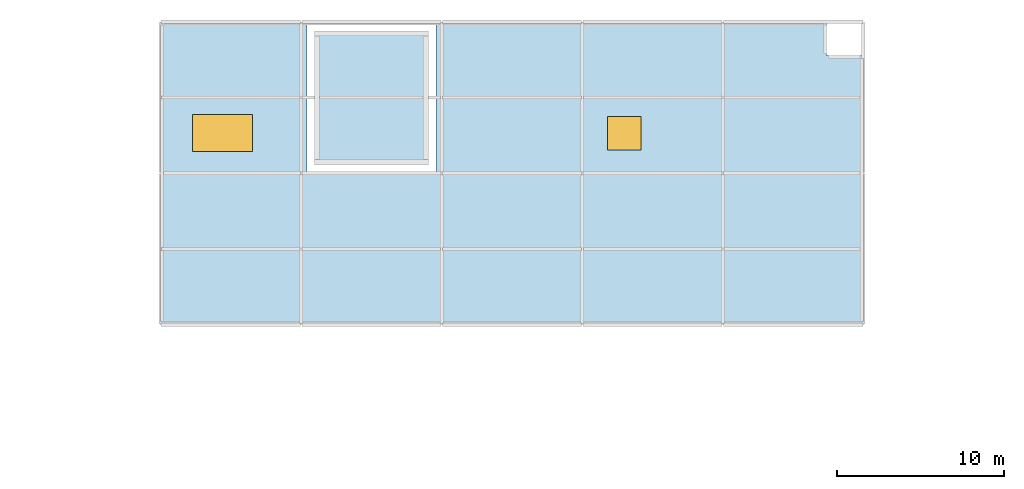
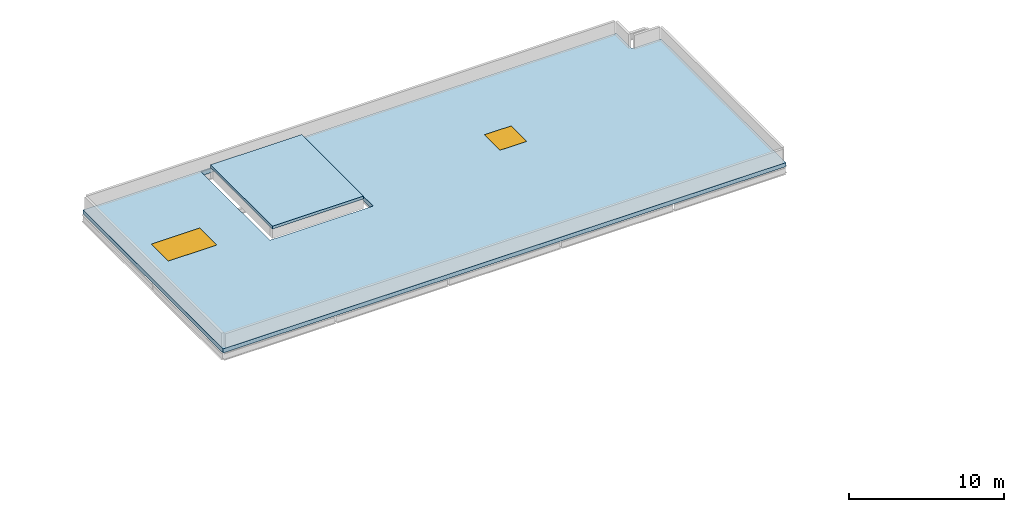
# One storey, part 52 of 58: 2 slabs, 2 windows, 2 openings.
"""IFC4 building model written with IfcOpenShell, lengths in metres."""

import ifcopenshell
import ifcopenshell.guid

model = None  # the IFC model being written
_history = None  # IfcOwnerHistory: only IFC2X3 demands one
_inside = {}  # id of a spatial element -> (the spatial element, [elements in it])
_under = {}  # id of a project, library or spatial element -> (it, [spatial elements below it])
_declared = {}  # id of a project -> (the project, [libraries it declares])
_typed = {}  # id of a type object -> (the type object, [elements of that type])
_made_of = {}  # id of a material, layer set ... -> (it, [elements and type objects made of it])


def new_model(schema):
    """Start an empty IFC model of exactly this schema.

    Asked for "IFC4X3", IfcOpenShell would pick the latest addendum, in which some entities
    have other attributes; the version numbers below select the first issue.
    IFC2X3 requires an IfcOwnerHistory on every rooted entity: one is made here for all.
    """
    global model, _history
    if schema == "IFC4X3":
        model = ifcopenshell.file(schema_version=(4, 3, 0, 0))
    else:
        model = ifcopenshell.file(schema=schema)
    _inside.clear()
    _under.clear()
    _declared.clear()
    _typed.clear()
    _made_of.clear()
    _history = None
    if model.schema == "IFC2X3":
        org = make("IfcOrganization", Name="unknown")
        user = make(
            "IfcPersonAndOrganization",
            ThePerson=make("IfcPerson", FamilyName="unknown"),
            TheOrganization=org,
        )
        app = make(
            "IfcApplication",
            ApplicationDeveloper=org,
            Version="unknown",
            ApplicationFullName="unknown",
            ApplicationIdentifier="unknown",
        )
        _history = make(
            "IfcOwnerHistory",
            OwningUser=user,
            OwningApplication=app,
            ChangeAction="ADDED",
            CreationDate=0,
        )
    return model


def make(cls, **values):
    """One entity of the class cls with the attributes given. An attribute that is None is left unset."""
    return model.create_entity(
        cls, **{name: value for name, value in values.items() if value is not None}
    )


def rooted(cls, **values):
    """An entity with a GlobalId (a new one), such as an element, a storey or a relation."""
    return make(cls, GlobalId=ifcopenshell.guid.new(), OwnerHistory=_history, **values)


def si_unit(unit_type, name, prefix=None):
    """IfcSIUnit, for example si_unit("LENGTHUNIT", "METRE", prefix="MILLI")."""
    return make("IfcSIUnit", UnitType=unit_type, Prefix=prefix, Name=name)


def assignment(units):
    """IfcUnitAssignment: the units of a project."""
    return None if units is None else make("IfcUnitAssignment", Units=units)


def point(xyz):
    """IfcCartesianPoint."""
    return None if xyz is None else make("IfcCartesianPoint", Coordinates=xyz)


def direction(xyz):
    """IfcDirection."""
    return None if xyz is None else make("IfcDirection", DirectionRatios=xyz)


def frame(location, z_axis=None, x_axis=None):
    """IfcAxis2Placement3D, a coordinate frame: its origin and axes. An axis left out is left unset."""
    return make(
        "IfcAxis2Placement3D",
        Location=point(location),
        Axis=direction(z_axis),
        RefDirection=direction(x_axis),
    )


def frame_2d(location, x_axis=None):
    """IfcAxis2Placement2D, a coordinate frame in the plane: its origin and x axis."""
    return make(
        "IfcAxis2Placement2D", Location=point(location), RefDirection=direction(x_axis)
    )


def origin():
    """The frame at (0, 0, 0) with its axes left unset."""
    return frame((0.0, 0.0, 0.0))


def origin_2d():
    """The frame at (0, 0) in the plane with its x axis left unset."""
    return frame_2d((0.0, 0.0))


def place(relative_to, where):
    """IfcLocalPlacement: puts the frame where relative to a parent placement (None: the world)."""
    return make(
        "IfcLocalPlacement", PlacementRelTo=relative_to, RelativePlacement=where
    )


def context(
    kind, dimensions, precision=None, world=None, true_north=None, identifier=None
):
    """IfcGeometricRepresentationContext, for example the 3D "Model" context."""
    return make(
        "IfcGeometricRepresentationContext",
        ContextIdentifier=identifier,
        ContextType=kind,
        CoordinateSpaceDimension=dimensions,
        Precision=precision,
        WorldCoordinateSystem=world,
        TrueNorth=true_north,
    )


def subcontext(parent, identifier, kind, view, scale=None):
    """IfcGeometricRepresentationSubContext, for example "Body" below "Model"."""
    return make(
        "IfcGeometricRepresentationSubContext",
        ContextIdentifier=identifier,
        ContextType=kind,
        ParentContext=parent,
        TargetScale=scale,
        TargetView=view,
    )


def project(units=None, contexts=None):
    """IfcProject with its units and contexts."""
    return rooted(
        "IfcProject",
        Name="project",
        RepresentationContexts=contexts,
        UnitsInContext=assignment(units),
    )


def spatial(cls, under=None, at=None, **own):
    """A site, building, storey or space (cls), placed at a placement, below another one or the project."""
    s = rooted(cls, ObjectPlacement=at, **own)
    if under is not None:
        _under.setdefault(under.id(), (under, []))[1].append(s)
    return s


def polyline(points):
    """IfcPolyline through the points."""
    return make("IfcPolyline", Points=[point(p) for p in points])


def profile(cls, at=None, kind="AREA", **sizes):
    """A parametric profile (cls). Its sizes go by their IFC names, for example OverallWidth=200.0."""
    return make(cls, ProfileType=kind, Position=at, **sizes)


def rectangle(**sizes):
    """IfcRectangleProfileDef."""
    return profile("IfcRectangleProfileDef", **sizes)


def outline(outer, holes=None, kind="AREA"):
    """IfcArbitraryClosedProfileDef: a profile drawn as a closed curve; with holes, ...WithVoids."""
    if holes is None:
        return make("IfcArbitraryClosedProfileDef", ProfileType=kind, OuterCurve=outer)
    return make(
        "IfcArbitraryProfileDefWithVoids",
        ProfileType=kind,
        OuterCurve=outer,
        InnerCurves=holes,
    )


def extrude(swept, where, along, depth):
    """IfcExtrudedAreaSolid: the profile swept, set in the frame where, extruded along a direction by depth."""
    return make(
        "IfcExtrudedAreaSolid",
        SweptArea=swept,
        Position=where,
        ExtrudedDirection=direction(along),
        Depth=depth,
    )


def shape(context_of_items, identifier, shape_type, items):
    """IfcShapeRepresentation: the items that make up one representation, for example the "Body"."""
    return make(
        "IfcShapeRepresentation",
        ContextOfItems=context_of_items,
        RepresentationIdentifier=identifier,
        RepresentationType=shape_type,
        Items=items,
    )


def material(Name=None, Category=None):
    """IfcMaterial."""
    return make("IfcMaterial", Name=Name, Category=Category)


def layer(
    of_material, thickness, ventilated=None, Name=None, Category=None, Priority=None
):
    """IfcMaterialLayer: one layer of a wall or slab, of a material (None: an air gap)."""
    return make(
        "IfcMaterialLayer",
        Material=of_material,
        LayerThickness=thickness,
        IsVentilated=ventilated,
        Name=Name,
        Category=Category,
        Priority=Priority,
    )


def layer_set(layers, Name=None):
    """IfcMaterialLayerSet."""
    return make("IfcMaterialLayerSet", MaterialLayers=layers, LayerSetName=Name)


def made_of(thing, what):
    """Note that an element or type object is made of a material, layer set ...; save() writes the relation."""
    if what is not None:
        _made_of.setdefault(what.id(), (what, []))[1].append(thing)
    return thing


def type_object(cls, material=None, **own):
    """A type object (cls), such as IfcWallType, which elements share."""
    return made_of(rooted(cls, **own), material)


def element(
    cls,
    number,
    at=None,
    inside=None,
    cuts=None,
    type_object=None,
    material=None,
    context=None,
    identifier="Body",
    shape_type=None,
    held_by="IfcProductDefinitionShape",
    body=None,
    shapes=None,
    **own,
):
    """One element of the class cls, such as IfcWall. Its Tag is "e" and its number.

    at: its placement. inside: the storey or other place that contains it. cuts: it is an
    opening in that element (IfcRelVoidsElement). A single representation is given by context,
    identifier, shape_type and body (its items); several are given by shapes. held_by: the class
    of the entity that holds the representations. save() writes the other relations.
    """
    e = rooted(cls, Tag="e%d" % number, ObjectPlacement=at, **own)
    if body is not None:
        shapes = [shape(context, identifier, shape_type, body)]
    if shapes is not None:
        e.Representation = make(held_by, Representations=shapes)
    if inside is not None:
        _inside.setdefault(inside.id(), (inside, []))[1].append(e)
    if cuts is not None:
        rooted(
            "IfcRelVoidsElement", RelatingBuildingElement=cuts, RelatedOpeningElement=e
        )
    if type_object is not None:
        _typed.setdefault(type_object.id(), (type_object, []))[1].append(e)
    return made_of(e, material)


def fill(opening, filler):
    """IfcRelFillsElement: the door or window that sits in an opening."""
    return rooted(
        "IfcRelFillsElement",
        RelatingOpeningElement=opening,
        RelatedBuildingElement=filler,
    )


def aggregate(whole, parts):
    """IfcRelAggregates: a whole, such as a stair, and the parts it consists of."""
    return rooted("IfcRelAggregates", RelatingObject=whole, RelatedObjects=parts)


def save(model, path):
    """Write the relations noted so far, then the file.

    IfcRelAggregates (storeys below a building ...), IfcRelContainedInSpatialStructure (elements
    in a storey), IfcRelDefinesByType, IfcRelAssociatesMaterial and IfcRelDeclares: one each for
    every whole, place, type object, material and project.
    """
    for whole, parts in _under.values():
        aggregate(whole, parts)
    for where, things in _inside.values():
        rooted(
            "IfcRelContainedInSpatialStructure",
            RelatedElements=things,
            RelatingStructure=where,
        )
    for kind, things in _typed.values():
        rooted("IfcRelDefinesByType", RelatedObjects=things, RelatingType=kind)
    for what, things in _made_of.values():
        rooted("IfcRelAssociatesMaterial", RelatedObjects=things, RelatingMaterial=what)
    for by, libraries in _declared.values():
        rooted("IfcRelDeclares", RelatingContext=by, RelatedDefinitions=libraries)
    model.write(path)


model = new_model("IFC4")

# Units and contexts
model_context = context("Model", 3, precision=1e-05, world=origin(), true_north=direction((0.0, 1.0)))
body_context = subcontext(model_context, "Body", "Model", "MODEL_VIEW")
ifc_project = project(units=[si_unit("LENGTHUNIT", "METRE"), si_unit("AREAUNIT", "SQUARE_METRE"), si_unit("VOLUMEUNIT", "CUBIC_METRE"), si_unit("PLANEANGLEUNIT", "RADIAN"), si_unit("MASSUNIT", "GRAM", prefix="KILO")], contexts=[model_context])

# Site, building, storey
site_placement = place(None, origin())
site = spatial("IfcSite", under=ifc_project, at=site_placement, CompositionType="ELEMENT")
building_placement = place(site_placement, origin())
building = spatial("IfcBuilding", under=site, at=building_placement, Name="Khurvash Pelagic Aquarium", CompositionType="ELEMENT")
storey_placement = place(building_placement, frame((0.0, 0.0, 24.60009765625)))
storey = spatial("IfcBuildingStorey", under=building, at=storey_placement, Name="L05", CompositionType="ELEMENT", Elevation=24.60009765625)

# Slab
ifc_material_1 = material(Name="Concrete C35/45", Category="concrete")
ifc_layer_1 = layer(ifc_material_1, 0.219970703125)
ifc_layer_set_1 = layer_set([ifc_layer_1], Name="Concrete C35/45")
slab_type_1 = type_object("IfcSlabType", Name="RS-220", PredefinedType="ROOF", material=ifc_layer_set_1)
slab_1_placement = place(storey_placement, frame((0.0, 0.0, 0.449951171875)))
element("IfcSlab", 1, at=slab_1_placement, inside=storey, type_object=slab_type_1, Name="L05 Core C4 Shaft Roof Cap Slab RS-220", PredefinedType="ROOF", context=body_context, shape_type="SweptSolid", body=[
    extrude(outline(polyline([(68.0, 93.60009765625), (74.800048828125, 93.60009765625), (74.800048828125, 101.60009765625), (68.0, 101.60009765625), (68.0, 93.60009765625)])), origin(), (0.0, 0.0, 1.0), 0.219970703125),
])

# Slab, openings, windows
ifc_layer_2 = layer(ifc_material_1, 0.320068359375)
ifc_layer_set_2 = layer_set([ifc_layer_2], Name="Concrete C35/45")
slab_type_2 = type_object("IfcSlabType", Name="RS-320", PredefinedType="ROOF", material=ifc_layer_set_2)
slab_2_placement = place(storey_placement, frame((0.0, 0.0, -0.320068359375)))
slab_2 = element("IfcSlab", 2, at=slab_2_placement, inside=storey, type_object=slab_type_2, Name="L05 Insulated Concrete Roof Slab RS-320 ROOF_L05_V5.1", PredefinedType="ROOF", context=body_context, shape_type="SweptSolid", body=[
    extrude(outline(polyline([(58.800048828125, 84.050048828125), (100.800048828125, 84.050048828125), (100.800048828125, 100.14990234375), (98.60009765625, 100.14990234375), (98.60009765625, 102.14990234375), (58.800048828125, 102.14990234375), (58.800048828125, 84.050048828125)]), holes=[polyline([(75.25, 102.050048828125), (75.25, 93.14990234375), (67.550048828125, 93.14990234375), (67.550048828125, 102.050048828125), (75.25, 102.050048828125)])]), origin(), (0.0, 0.0, 1.0), 0.320068359375),
])
opening_1_placement = place(slab_2_placement, frame((62.5, 95.5, -0.010009765625), z_axis=(0.0, 0.0, 1.0), x_axis=(1.0, 0.0, 0.0)))
opening_1 = element("IfcOpeningElement", 3, at=opening_1_placement, cuts=slab_2, Name="Opening SK-03", PredefinedType="OPENING", context=body_context, shape_type="SweptSolid", body=[
    extrude(rectangle(XDim=3.60009765625, YDim=2.199951171875, at=origin_2d()), origin(), (0.0, 0.0, 1.0), 0.340087890625),
])
opening_2_placement = place(slab_2_placement, frame((86.5, 95.5, -0.010009765625), z_axis=(0.0, 0.0, 1.0), x_axis=(1.0, 0.0, 0.0)))
opening_2 = element("IfcOpeningElement", 4, at=opening_2_placement, cuts=slab_2, Name="Opening SK-04", PredefinedType="OPENING", context=body_context, shape_type="SweptSolid", body=[
    extrude(rectangle(XDim=2.0, YDim=2.0, at=origin_2d()), origin(), (0.0, 0.0, 1.0), 0.340087890625),
])
ifc_material_2 = material(Name="Thermally broken aluminium and laminated skylight glass", Category="aluminium")
window_type_1 = type_object("IfcWindowType", Name="SK-03", PartitioningType="SINGLE_PANEL", PredefinedType="SKYLIGHT", material=ifc_material_2)
window_1_placement = place(opening_1_placement, frame((0.0, 0.0, 0.150146484375)))
window_1 = element("IfcWindow", 5, at=window_1_placement, inside=storey, type_object=window_type_1, Name="L05 Marine Research Roof Skylight SK-03 013", OverallHeight=2.199951171875, OverallWidth=3.60009765625, PartitioningType="SINGLE_PANEL", PredefinedType="SKYLIGHT", context=body_context, shape_type="SweptSolid", body=[
    extrude(rectangle(XDim=3.60009765625, YDim=2.199951171875, at=origin_2d()), origin(), (0.0, 0.0, 1.0), 0.179931640625),
])
fill(opening_1, window_1)
window_type_2 = type_object("IfcWindowType", Name="SK-04", PartitioningType="SINGLE_PANEL", PredefinedType="SKYLIGHT", material=ifc_material_2)
window_2_placement = place(opening_2_placement, frame((0.0, 0.0, 0.150146484375)))
window_2 = element("IfcWindow", 6, at=window_2_placement, inside=storey, type_object=window_type_2, Name="L05 Marine Research Roof Skylight SK-04 014", OverallHeight=2.0, OverallWidth=2.0, PartitioningType="SINGLE_PANEL", PredefinedType="SKYLIGHT", context=body_context, shape_type="SweptSolid", body=[
    extrude(rectangle(XDim=2.0, YDim=2.0, at=origin_2d()), origin(), (0.0, 0.0, 1.0), 0.179931640625),
])
fill(opening_2, window_2)

save(model, "model.ifc")
